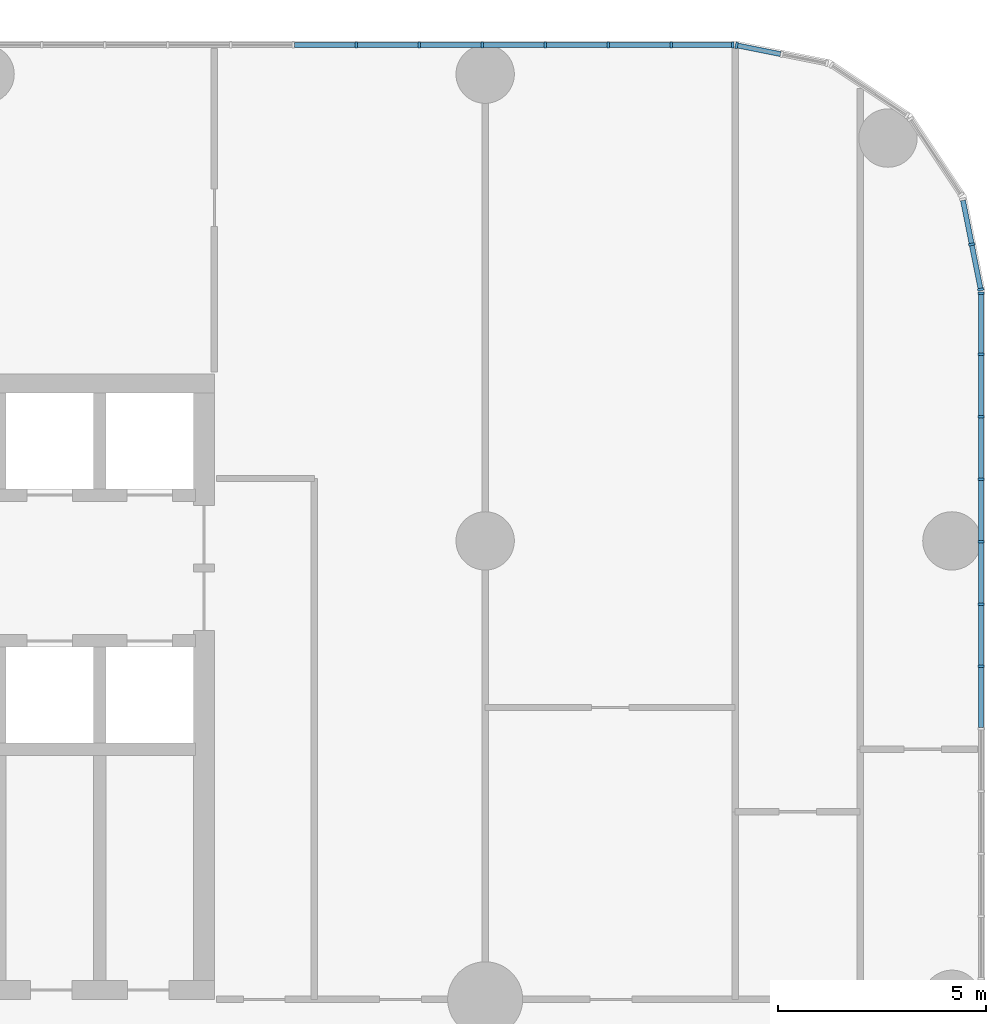
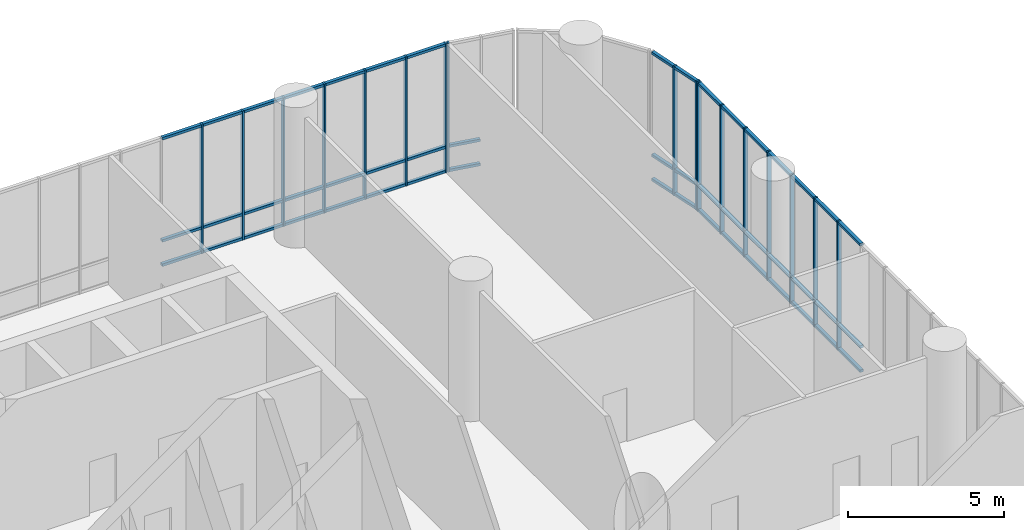
# One storey, part 17 of 30: 67 members, 4 elements without a shape of their own.
"""IFC4 building model written with IfcOpenShell, lengths in metres."""

from ifc_helpers import new_model, si_unit, direction, frame, origin, origin_2d, place, context, subcontext, project, spatial, rectangle, extrude, material, layer, layer_set, material_profile, profile_set, type_object, element, aggregate, save


model = new_model("IFC4")

# Units and contexts
model_context = context("Model", 3, precision=1e-05, world=origin(), true_north=direction((0.0, 1.0)))
body_context = subcontext(model_context, "Body", "Model", "MODEL_VIEW")
ifc_project = project(units=[si_unit("LENGTHUNIT", "METRE"), si_unit("AREAUNIT", "SQUARE_METRE"), si_unit("VOLUMEUNIT", "CUBIC_METRE"), si_unit("PLANEANGLEUNIT", "RADIAN"), si_unit("MASSUNIT", "GRAM", prefix="KILO")], contexts=[model_context])

# Site, building, storey
site_placement = place(None, origin())
site = spatial("IfcSite", under=ifc_project, at=site_placement, CompositionType="ELEMENT")
building_placement = place(site_placement, origin())
building = spatial("IfcBuilding", under=site, at=building_placement, Name="Torana Hotel and Residences", CompositionType="ELEMENT")
storey_placement = place(building_placement, frame((0.0, 0.0, 12.5)))
storey = spatial("IfcBuildingStorey", under=building, at=storey_placement, Name="L02", CompositionType="ELEMENT", Elevation=12.5)

# Curtain wall, members
ifc_material_1 = material(Name="Dark anodised aluminium", Category="aluminium")
ifc_layer = layer(ifc_material_1, 0.14990234375)
ifc_layer_set = layer_set([ifc_layer], Name="CW5 PODIUM UPPER UNITISED CURTAIN WALL")
curtain_wall_type = type_object("IfcCurtainWallType", Name="CW5 PODIUM UPPER UNITISED CURTAIN WALL", PredefinedType="NOTDEFINED", material=ifc_layer_set)
curtain_wall_1_placement = place(storey_placement, origin())
curtain_wall_1 = element("IfcCurtainWall", 1, at=curtain_wall_1_placement, inside=storey, type_object=curtain_wall_type, Name="Curtain wall CW5 L02 e1.5", PredefinedType="NOTDEFINED")
ifc_material_2 = material(Name="Dark anodised aluminium", Category="aluminium")
ifc_material_profile_1 = material_profile(ifc_material_2, rectangle(XDim=0.14990234375, YDim=0.06005859375, at=origin_2d()), Name="CW5 MULLION 60x150")
ifc_profile_set_1 = profile_set([ifc_material_profile_1], Name="Dark anodised aluminium")
member_type_1 = type_object("IfcMemberType", Name="CW5 MULLION 60x150", PredefinedType="MULLION", material=ifc_profile_set_1)
member_1_placement = place(storey_placement, frame((47.89990234375, -7.01220703125, 0.0), z_axis=(0.0, 0.0, 1.0), x_axis=(-1.0, 0.0, 0.0)))
member_1 = element("IfcMember", 2, at=member_1_placement, type_object=member_type_1, Name="CW5 mullion 19", PredefinedType="MULLION", context=body_context, shape_type="SweptSolid", body=[
    extrude(rectangle(XDim=0.14990234375, YDim=0.06005859375, at=origin_2d()), origin(), (0.0, 0.0, 1.0), 5.050048828125),
])
member_2_placement = place(storey_placement, frame((47.89990234375, -5.514404296875, 0.0), z_axis=(0.0, 0.0, 1.0), x_axis=(-1.0, 0.0, 0.0)))
member_2 = element("IfcMember", 3, at=member_2_placement, type_object=member_type_1, Name="CW5 mullion 20", PredefinedType="MULLION", context=body_context, shape_type="SweptSolid", body=[
    extrude(rectangle(XDim=0.14990234375, YDim=0.06005859375, at=origin_2d()), origin(), (0.0, 0.0, 1.0), 5.050048828125),
])
member_3_placement = place(storey_placement, frame((47.89990234375, -4.016357421875, 0.0), z_axis=(0.0, 0.0, 1.0), x_axis=(-1.0, 0.0, 0.0)))
member_3 = element("IfcMember", 4, at=member_3_placement, type_object=member_type_1, Name="CW5 mullion 21", PredefinedType="MULLION", context=body_context, shape_type="SweptSolid", body=[
    extrude(rectangle(XDim=0.14990234375, YDim=0.06005859375, at=origin_2d()), origin(), (0.0, 0.0, 1.0), 5.050048828125),
])
member_4_placement = place(storey_placement, frame((47.89990234375, -2.5185546875, 0.0), z_axis=(0.0, 0.0, 1.0), x_axis=(-1.0, 0.0, 0.0)))
member_4 = element("IfcMember", 5, at=member_4_placement, type_object=member_type_1, Name="CW5 mullion 22", PredefinedType="MULLION", context=body_context, shape_type="SweptSolid", body=[
    extrude(rectangle(XDim=0.14990234375, YDim=0.06005859375, at=origin_2d()), origin(), (0.0, 0.0, 1.0), 5.050048828125),
])
member_5_placement = place(storey_placement, frame((47.89990234375, -1.0205078125, 0.0), z_axis=(0.0, 0.0, 1.0), x_axis=(-1.0, 0.0, 0.0)))
member_5 = element("IfcMember", 6, at=member_5_placement, type_object=member_type_1, Name="CW5 mullion 23", PredefinedType="MULLION", context=body_context, shape_type="SweptSolid", body=[
    extrude(rectangle(XDim=0.14990234375, YDim=0.06005859375, at=origin_2d()), origin(), (0.0, 0.0, 1.0), 5.050048828125),
])
member_6_placement = place(storey_placement, frame((47.89990234375, 0.4775390625, 0.0), z_axis=(0.0, 0.0, 1.0), x_axis=(-1.0, 0.0, 0.0)))
member_6 = element("IfcMember", 7, at=member_6_placement, type_object=member_type_1, Name="CW5 mullion 24", PredefinedType="MULLION", context=body_context, shape_type="SweptSolid", body=[
    extrude(rectangle(XDim=0.14990234375, YDim=0.06005859375, at=origin_2d()), origin(), (0.0, 0.0, 1.0), 5.050048828125),
])
member_7_placement = place(storey_placement, frame((47.89990234375, 1.9453125, 0.0), z_axis=(0.0, 0.0, 1.0), x_axis=(-1.0, 0.0, 0.0)))
member_7 = element("IfcMember", 8, at=member_7_placement, type_object=member_type_1, Name="CW5 mullion 25", PredefinedType="MULLION", context=body_context, shape_type="SweptSolid", body=[
    extrude(rectangle(XDim=0.14990234375, YDim=0.06005859375, at=origin_2d()), origin(), (0.0, 0.0, 1.0), 5.050048828125),
])

curtain_wall_2_placement = place(storey_placement, origin())
curtain_wall_2 = element("IfcCurtainWall", 9, at=curtain_wall_2_placement, inside=storey, type_object=curtain_wall_type, Name="Curtain wall CW5 L02 e1.6", PredefinedType="NOTDEFINED")
member_8_placement = place(storey_placement, frame((47.891357421875, 2.033935546875, 0.0), z_axis=(0.0, 0.0, 1.0), x_axis=(-0.980787135335, -0.195080996415, 0.0)))
member_8 = element("IfcMember", 10, at=member_8_placement, type_object=member_type_1, Name="CW5 mullion 1", PredefinedType="MULLION", context=body_context, shape_type="SweptSolid", body=[
    extrude(rectangle(XDim=0.14990234375, YDim=0.06005859375, at=origin_2d()), origin(), (0.0, 0.0, 1.0), 5.050048828125),
])
member_9_placement = place(storey_placement, frame((47.676025390625, 3.1162109375, 0.0), z_axis=(0.0, 0.0, 1.0), x_axis=(-0.980787135335, -0.195080996415, 0.0)))
member_9 = element("IfcMember", 11, at=member_9_placement, type_object=member_type_1, Name="CW5 mullion 2", PredefinedType="MULLION", context=body_context, shape_type="SweptSolid", body=[
    extrude(rectangle(XDim=0.14990234375, YDim=0.06005859375, at=origin_2d()), origin(), (0.0, 0.0, 1.0), 5.050048828125),
])

# Curtain wall, member
curtain_wall_3_placement = place(storey_placement, origin())
curtain_wall_3 = element("IfcCurtainWall", 12, at=curtain_wall_3_placement, inside=storey, type_object=curtain_wall_type, Name="Curtain wall CW5 L02 e1.9", PredefinedType="NOTDEFINED")
member_10_placement = place(storey_placement, frame((42.033935546875, 7.891357421875, 0.0), z_axis=(0.0, 0.0, 1.0), x_axis=(-0.195080996415, -0.980787135335, 0.0)))
member_10 = element("IfcMember", 13, at=member_10_placement, type_object=member_type_1, Name="CW5 mullion 3", PredefinedType="MULLION", context=body_context, shape_type="SweptSolid", body=[
    extrude(rectangle(XDim=0.14990234375, YDim=0.06005859375, at=origin_2d()), origin(), (0.0, 0.0, 1.0), 5.050048828125),
])

# Curtain wall, members
curtain_wall_4_placement = place(storey_placement, origin())
curtain_wall_4 = element("IfcCurtainWall", 14, at=curtain_wall_4_placement, inside=storey, type_object=curtain_wall_type, Name="Curtain wall CW5 L02 e1.10", PredefinedType="NOTDEFINED")
member_11_placement = place(storey_placement, frame((41.9453125, 7.89990234375, 0.0), z_axis=(0.0, 0.0, 1.0), x_axis=(0.0, -1.0, 0.0)))
member_11 = element("IfcMember", 15, at=member_11_placement, type_object=member_type_1, Name="CW5 mullion 1", PredefinedType="MULLION", context=body_context, shape_type="SweptSolid", body=[
    extrude(rectangle(XDim=0.14990234375, YDim=0.06005859375, at=origin_2d()), origin(), (0.0, 0.0, 1.0), 5.050048828125),
])
member_12_placement = place(storey_placement, frame((40.464599609375, 7.89990234375, 0.0), z_axis=(0.0, 0.0, 1.0), x_axis=(0.0, -1.0, 0.0)))
member_12 = element("IfcMember", 16, at=member_12_placement, type_object=member_type_1, Name="CW5 mullion 2", PredefinedType="MULLION", context=body_context, shape_type="SweptSolid", body=[
    extrude(rectangle(XDim=0.14990234375, YDim=0.06005859375, at=origin_2d()), origin(), (0.0, 0.0, 1.0), 5.050048828125),
])
member_13_placement = place(storey_placement, frame((38.953857421875, 7.89990234375, 0.0), z_axis=(0.0, 0.0, 1.0), x_axis=(0.0, -1.0, 0.0)))
member_13 = element("IfcMember", 17, at=member_13_placement, type_object=member_type_1, Name="CW5 mullion 3", PredefinedType="MULLION", context=body_context, shape_type="SweptSolid", body=[
    extrude(rectangle(XDim=0.14990234375, YDim=0.06005859375, at=origin_2d()), origin(), (0.0, 0.0, 1.0), 5.050048828125),
])
member_14_placement = place(storey_placement, frame((37.443115234375, 7.89990234375, 0.0), z_axis=(0.0, 0.0, 1.0), x_axis=(0.0, -1.0, 0.0)))
member_14 = element("IfcMember", 18, at=member_14_placement, type_object=member_type_1, Name="CW5 mullion 4", PredefinedType="MULLION", context=body_context, shape_type="SweptSolid", body=[
    extrude(rectangle(XDim=0.14990234375, YDim=0.06005859375, at=origin_2d()), origin(), (0.0, 0.0, 1.0), 5.050048828125),
])
member_15_placement = place(storey_placement, frame((35.932373046875, 7.89990234375, 0.0), z_axis=(0.0, 0.0, 1.0), x_axis=(0.0, -1.0, 0.0)))
member_15 = element("IfcMember", 19, at=member_15_placement, type_object=member_type_1, Name="CW5 mullion 5", PredefinedType="MULLION", context=body_context, shape_type="SweptSolid", body=[
    extrude(rectangle(XDim=0.14990234375, YDim=0.06005859375, at=origin_2d()), origin(), (0.0, 0.0, 1.0), 5.050048828125),
])
member_16_placement = place(storey_placement, frame((34.421630859375, 7.89990234375, 0.0), z_axis=(0.0, 0.0, 1.0), x_axis=(0.0, -1.0, 0.0)))
member_16 = element("IfcMember", 20, at=member_16_placement, type_object=member_type_1, Name="CW5 mullion 6", PredefinedType="MULLION", context=body_context, shape_type="SweptSolid", body=[
    extrude(rectangle(XDim=0.14990234375, YDim=0.06005859375, at=origin_2d()), origin(), (0.0, 0.0, 1.0), 5.050048828125),
])
member_17_placement = place(storey_placement, frame((32.910888671875, 7.89990234375, 0.0), z_axis=(0.0, 0.0, 1.0), x_axis=(0.0, -1.0, 0.0)))
member_17 = element("IfcMember", 21, at=member_17_placement, type_object=member_type_1, Name="CW5 mullion 7", PredefinedType="MULLION", context=body_context, shape_type="SweptSolid", body=[
    extrude(rectangle(XDim=0.14990234375, YDim=0.06005859375, at=origin_2d()), origin(), (0.0, 0.0, 1.0), 5.050048828125),
])

# Member
ifc_material_3 = material(Name="Dark anodised aluminium", Category="aluminium")
ifc_material_profile_2 = material_profile(ifc_material_3, rectangle(XDim=0.1201171875, YDim=0.10009765625, at=origin_2d()), Name="CW5 TRANSOM 120x100")
ifc_profile_set_2 = profile_set([ifc_material_profile_2], Name="Dark anodised aluminium")
member_type_2 = type_object("IfcMemberType", Name="CW5 TRANSOM 120x100", PredefinedType="USERDEFINED", material=ifc_profile_set_2)
member_18_placement = place(storey_placement, frame((47.89990234375, -8.480224609375, 0.050048828125), z_axis=(0.0, 1.0, 0.0), x_axis=(-1.0, 0.0, 0.0)))
member_18 = element("IfcMember", 22, at=member_18_placement, type_object=member_type_2, Name="CW5 transom 18.1", ObjectType="TRANSOM", PredefinedType="USERDEFINED", context=body_context, shape_type="SweptSolid", body=[
    extrude(rectangle(XDim=0.1201171875, YDim=0.10009765625, at=origin_2d()), origin(), (0.0, 0.0, 1.0), 1.43798828125),
])

member_19_placement = place(storey_placement, frame((47.89990234375, -8.480224609375, 1.0), z_axis=(0.0, 1.0, 0.0), x_axis=(-1.0, 0.0, 0.0)))
member_19 = element("IfcMember", 23, at=member_19_placement, type_object=member_type_2, Name="CW5 transom 18.2", ObjectType="TRANSOM", PredefinedType="USERDEFINED", context=body_context, shape_type="SweptSolid", body=[
    extrude(rectangle(XDim=0.1201171875, YDim=0.10009765625, at=origin_2d()), origin(), (0.0, 0.0, 1.0), 1.43798828125),
])

member_20_placement = place(storey_placement, frame((47.89990234375, -8.480224609375, 5.0), z_axis=(0.0, 1.0, 0.0), x_axis=(-1.0, 0.0, 0.0)))
member_20 = element("IfcMember", 24, at=member_20_placement, type_object=member_type_2, Name="CW5 transom 18.3", ObjectType="TRANSOM", PredefinedType="USERDEFINED", context=body_context, shape_type="SweptSolid", body=[
    extrude(rectangle(XDim=0.1201171875, YDim=0.10009765625, at=origin_2d()), origin(), (0.0, 0.0, 1.0), 1.43798828125),
])

member_21_placement = place(storey_placement, frame((47.89990234375, -6.982421875, 0.050048828125), z_axis=(0.0, 1.0, 0.0), x_axis=(-1.0, 0.0, 0.0)))
member_21 = element("IfcMember", 25, at=member_21_placement, type_object=member_type_2, Name="CW5 transom 19.1", ObjectType="TRANSOM", PredefinedType="USERDEFINED", context=body_context, shape_type="SweptSolid", body=[
    extrude(rectangle(XDim=0.1201171875, YDim=0.10009765625, at=origin_2d()), origin(), (0.0, 0.0, 1.0), 1.43798828125),
])

member_22_placement = place(storey_placement, frame((47.89990234375, -6.982421875, 1.0), z_axis=(0.0, 1.0, 0.0), x_axis=(-1.0, 0.0, 0.0)))
member_22 = element("IfcMember", 26, at=member_22_placement, type_object=member_type_2, Name="CW5 transom 19.2", ObjectType="TRANSOM", PredefinedType="USERDEFINED", context=body_context, shape_type="SweptSolid", body=[
    extrude(rectangle(XDim=0.1201171875, YDim=0.10009765625, at=origin_2d()), origin(), (0.0, 0.0, 1.0), 1.43798828125),
])

member_23_placement = place(storey_placement, frame((47.89990234375, -6.982421875, 5.0), z_axis=(0.0, 1.0, 0.0), x_axis=(-1.0, 0.0, 0.0)))
member_23 = element("IfcMember", 27, at=member_23_placement, type_object=member_type_2, Name="CW5 transom 19.3", ObjectType="TRANSOM", PredefinedType="USERDEFINED", context=body_context, shape_type="SweptSolid", body=[
    extrude(rectangle(XDim=0.1201171875, YDim=0.10009765625, at=origin_2d()), origin(), (0.0, 0.0, 1.0), 1.43798828125),
])

member_24_placement = place(storey_placement, frame((47.89990234375, -5.484375, 0.050048828125), z_axis=(0.0, 1.0, 0.0), x_axis=(-1.0, 0.0, 0.0)))
member_24 = element("IfcMember", 28, at=member_24_placement, type_object=member_type_2, Name="CW5 transom 20.1", ObjectType="TRANSOM", PredefinedType="USERDEFINED", context=body_context, shape_type="SweptSolid", body=[
    extrude(rectangle(XDim=0.1201171875, YDim=0.10009765625, at=origin_2d()), origin(), (0.0, 0.0, 1.0), 1.43798828125),
])

member_25_placement = place(storey_placement, frame((47.89990234375, -5.484375, 1.0), z_axis=(0.0, 1.0, 0.0), x_axis=(-1.0, 0.0, 0.0)))
member_25 = element("IfcMember", 29, at=member_25_placement, type_object=member_type_2, Name="CW5 transom 20.2", ObjectType="TRANSOM", PredefinedType="USERDEFINED", context=body_context, shape_type="SweptSolid", body=[
    extrude(rectangle(XDim=0.1201171875, YDim=0.10009765625, at=origin_2d()), origin(), (0.0, 0.0, 1.0), 1.43798828125),
])

member_26_placement = place(storey_placement, frame((47.89990234375, -5.484375, 5.0), z_axis=(0.0, 1.0, 0.0), x_axis=(-1.0, 0.0, 0.0)))
member_26 = element("IfcMember", 30, at=member_26_placement, type_object=member_type_2, Name="CW5 transom 20.3", ObjectType="TRANSOM", PredefinedType="USERDEFINED", context=body_context, shape_type="SweptSolid", body=[
    extrude(rectangle(XDim=0.1201171875, YDim=0.10009765625, at=origin_2d()), origin(), (0.0, 0.0, 1.0), 1.43798828125),
])

member_27_placement = place(storey_placement, frame((47.89990234375, -3.986328125, 0.050048828125), z_axis=(0.0, 1.0, 0.0), x_axis=(-1.0, 0.0, 0.0)))
member_27 = element("IfcMember", 31, at=member_27_placement, type_object=member_type_2, Name="CW5 transom 21.1", ObjectType="TRANSOM", PredefinedType="USERDEFINED", context=body_context, shape_type="SweptSolid", body=[
    extrude(rectangle(XDim=0.1201171875, YDim=0.10009765625, at=origin_2d()), origin(), (0.0, 0.0, 1.0), 1.43798828125),
])

member_28_placement = place(storey_placement, frame((47.89990234375, -3.986328125, 1.0), z_axis=(0.0, 1.0, 0.0), x_axis=(-1.0, 0.0, 0.0)))
member_28 = element("IfcMember", 32, at=member_28_placement, type_object=member_type_2, Name="CW5 transom 21.2", ObjectType="TRANSOM", PredefinedType="USERDEFINED", context=body_context, shape_type="SweptSolid", body=[
    extrude(rectangle(XDim=0.1201171875, YDim=0.10009765625, at=origin_2d()), origin(), (0.0, 0.0, 1.0), 1.43798828125),
])

member_29_placement = place(storey_placement, frame((47.89990234375, -3.986328125, 5.0), z_axis=(0.0, 1.0, 0.0), x_axis=(-1.0, 0.0, 0.0)))
member_29 = element("IfcMember", 33, at=member_29_placement, type_object=member_type_2, Name="CW5 transom 21.3", ObjectType="TRANSOM", PredefinedType="USERDEFINED", context=body_context, shape_type="SweptSolid", body=[
    extrude(rectangle(XDim=0.1201171875, YDim=0.10009765625, at=origin_2d()), origin(), (0.0, 0.0, 1.0), 1.43798828125),
])

member_30_placement = place(storey_placement, frame((47.89990234375, -2.488525390625, 0.050048828125), z_axis=(0.0, 1.0, 0.0), x_axis=(-1.0, 0.0, 0.0)))
member_30 = element("IfcMember", 34, at=member_30_placement, type_object=member_type_2, Name="CW5 transom 22.1", ObjectType="TRANSOM", PredefinedType="USERDEFINED", context=body_context, shape_type="SweptSolid", body=[
    extrude(rectangle(XDim=0.1201171875, YDim=0.10009765625, at=origin_2d()), origin(), (0.0, 0.0, 1.0), 1.43798828125),
])

member_31_placement = place(storey_placement, frame((47.89990234375, -2.488525390625, 1.0), z_axis=(0.0, 1.0, 0.0), x_axis=(-1.0, 0.0, 0.0)))
member_31 = element("IfcMember", 35, at=member_31_placement, type_object=member_type_2, Name="CW5 transom 22.2", ObjectType="TRANSOM", PredefinedType="USERDEFINED", context=body_context, shape_type="SweptSolid", body=[
    extrude(rectangle(XDim=0.1201171875, YDim=0.10009765625, at=origin_2d()), origin(), (0.0, 0.0, 1.0), 1.43798828125),
])

member_32_placement = place(storey_placement, frame((47.89990234375, -2.488525390625, 5.0), z_axis=(0.0, 1.0, 0.0), x_axis=(-1.0, 0.0, 0.0)))
member_32 = element("IfcMember", 36, at=member_32_placement, type_object=member_type_2, Name="CW5 transom 22.3", ObjectType="TRANSOM", PredefinedType="USERDEFINED", context=body_context, shape_type="SweptSolid", body=[
    extrude(rectangle(XDim=0.1201171875, YDim=0.10009765625, at=origin_2d()), origin(), (0.0, 0.0, 1.0), 1.43798828125),
])

member_33_placement = place(storey_placement, frame((47.89990234375, -0.990478515625, 0.050048828125), z_axis=(0.0, 1.0, 0.0), x_axis=(-1.0, 0.0, 0.0)))
member_33 = element("IfcMember", 37, at=member_33_placement, type_object=member_type_2, Name="CW5 transom 23.1", ObjectType="TRANSOM", PredefinedType="USERDEFINED", context=body_context, shape_type="SweptSolid", body=[
    extrude(rectangle(XDim=0.1201171875, YDim=0.10009765625, at=origin_2d()), origin(), (0.0, 0.0, 1.0), 1.43798828125),
])

member_34_placement = place(storey_placement, frame((47.89990234375, -0.990478515625, 1.0), z_axis=(0.0, 1.0, 0.0), x_axis=(-1.0, 0.0, 0.0)))
member_34 = element("IfcMember", 38, at=member_34_placement, type_object=member_type_2, Name="CW5 transom 23.2", ObjectType="TRANSOM", PredefinedType="USERDEFINED", context=body_context, shape_type="SweptSolid", body=[
    extrude(rectangle(XDim=0.1201171875, YDim=0.10009765625, at=origin_2d()), origin(), (0.0, 0.0, 1.0), 1.43798828125),
])

member_35_placement = place(storey_placement, frame((47.89990234375, -0.990478515625, 5.0), z_axis=(0.0, 1.0, 0.0), x_axis=(-1.0, 0.0, 0.0)))
member_35 = element("IfcMember", 39, at=member_35_placement, type_object=member_type_2, Name="CW5 transom 23.3", ObjectType="TRANSOM", PredefinedType="USERDEFINED", context=body_context, shape_type="SweptSolid", body=[
    extrude(rectangle(XDim=0.1201171875, YDim=0.10009765625, at=origin_2d()), origin(), (0.0, 0.0, 1.0), 1.43798828125),
])

member_36_placement = place(storey_placement, frame((47.89990234375, 0.507568359375, 0.050048828125), z_axis=(0.0, 1.0, 0.0), x_axis=(-1.0, 0.0, 0.0)))
member_36 = element("IfcMember", 40, at=member_36_placement, type_object=member_type_2, Name="CW5 transom 24.1", ObjectType="TRANSOM", PredefinedType="USERDEFINED", context=body_context, shape_type="SweptSolid", body=[
    extrude(rectangle(XDim=0.1201171875, YDim=0.10009765625, at=origin_2d()), origin(), (0.0, 0.0, 1.0), 1.40771484375),
])

member_37_placement = place(storey_placement, frame((47.89990234375, 0.507568359375, 1.0), z_axis=(0.0, 1.0, 0.0), x_axis=(-1.0, 0.0, 0.0)))
member_37 = element("IfcMember", 41, at=member_37_placement, type_object=member_type_2, Name="CW5 transom 24.2", ObjectType="TRANSOM", PredefinedType="USERDEFINED", context=body_context, shape_type="SweptSolid", body=[
    extrude(rectangle(XDim=0.1201171875, YDim=0.10009765625, at=origin_2d()), origin(), (0.0, 0.0, 1.0), 1.40771484375),
])

member_38_placement = place(storey_placement, frame((47.89990234375, 0.507568359375, 5.0), z_axis=(0.0, 1.0, 0.0), x_axis=(-1.0, 0.0, 0.0)))
member_38 = element("IfcMember", 42, at=member_38_placement, type_object=member_type_2, Name="CW5 transom 24.3", ObjectType="TRANSOM", PredefinedType="USERDEFINED", context=body_context, shape_type="SweptSolid", body=[
    extrude(rectangle(XDim=0.1201171875, YDim=0.10009765625, at=origin_2d()), origin(), (0.0, 0.0, 1.0), 1.40771484375),
])

aggregate(curtain_wall_1, [member_1, member_2, member_3, member_4, member_5, member_6, member_7, member_18, member_19, member_20, member_21, member_22, member_23, member_24, member_25, member_26, member_27, member_28, member_29, member_30, member_31, member_32, member_33, member_34, member_35, member_36, member_37, member_38])

member_39_placement = place(storey_placement, frame((47.885498046875, 2.0634765625, 0.050048828125), z_axis=(-0.195170971557, 0.980769234765, 0.0), x_axis=(-0.980769234765, -0.195170971557, 0.0)))
member_39 = element("IfcMember", 43, at=member_39_placement, type_object=member_type_2, Name="CW5 transom 1.1", ObjectType="TRANSOM", PredefinedType="USERDEFINED", context=body_context, shape_type="SweptSolid", body=[
    extrude(rectangle(XDim=0.1201171875, YDim=0.10009765625, at=origin_2d()), origin(), (0.0, 0.0, 1.0), 1.043212890625),
])

member_40_placement = place(storey_placement, frame((47.885498046875, 2.0634765625, 1.0), z_axis=(-0.195170971557, 0.980769234765, 0.0), x_axis=(-0.980769234765, -0.195170971557, 0.0)))
member_40 = element("IfcMember", 44, at=member_40_placement, type_object=member_type_2, Name="CW5 transom 1.2", ObjectType="TRANSOM", PredefinedType="USERDEFINED", context=body_context, shape_type="SweptSolid", body=[
    extrude(rectangle(XDim=0.1201171875, YDim=0.10009765625, at=origin_2d()), origin(), (0.0, 0.0, 1.0), 1.043212890625),
])

member_41_placement = place(storey_placement, frame((47.885498046875, 2.0634765625, 5.0), z_axis=(-0.195170971557, 0.980769234765, 0.0), x_axis=(-0.980769234765, -0.195170971557, 0.0)))
member_41 = element("IfcMember", 45, at=member_41_placement, type_object=member_type_2, Name="CW5 transom 1.3", ObjectType="TRANSOM", PredefinedType="USERDEFINED", context=body_context, shape_type="SweptSolid", body=[
    extrude(rectangle(XDim=0.1201171875, YDim=0.10009765625, at=origin_2d()), origin(), (0.0, 0.0, 1.0), 1.043212890625),
])

member_42_placement = place(storey_placement, frame((47.670166015625, 3.1455078125, 0.050048828125), z_axis=(-0.195126186458, 0.980778145841, 0.0), x_axis=(-0.980778145841, -0.195126186458, 0.0)))
member_42 = element("IfcMember", 46, at=member_42_placement, type_object=member_type_2, Name="CW5 transom 2.1", ObjectType="TRANSOM", PredefinedType="USERDEFINED", context=body_context, shape_type="SweptSolid", body=[
    extrude(rectangle(XDim=0.1201171875, YDim=0.10009765625, at=origin_2d()), origin(), (0.0, 0.0, 1.0), 1.04345703125),
])

member_43_placement = place(storey_placement, frame((47.670166015625, 3.1455078125, 1.0), z_axis=(-0.195126186458, 0.980778145841, 0.0), x_axis=(-0.980778145841, -0.195126186458, 0.0)))
member_43 = element("IfcMember", 47, at=member_43_placement, type_object=member_type_2, Name="CW5 transom 2.2", ObjectType="TRANSOM", PredefinedType="USERDEFINED", context=body_context, shape_type="SweptSolid", body=[
    extrude(rectangle(XDim=0.1201171875, YDim=0.10009765625, at=origin_2d()), origin(), (0.0, 0.0, 1.0), 1.04345703125),
])

member_44_placement = place(storey_placement, frame((47.670166015625, 3.1455078125, 5.0), z_axis=(-0.195126186458, 0.980778145841, 0.0), x_axis=(-0.980778145841, -0.195126186458, 0.0)))
member_44 = element("IfcMember", 48, at=member_44_placement, type_object=member_type_2, Name="CW5 transom 2.3", ObjectType="TRANSOM", PredefinedType="USERDEFINED", context=body_context, shape_type="SweptSolid", body=[
    extrude(rectangle(XDim=0.1201171875, YDim=0.10009765625, at=origin_2d()), origin(), (0.0, 0.0, 1.0), 1.04345703125),
])

aggregate(curtain_wall_2, [member_8, member_9, member_39, member_40, member_41, member_42, member_43, member_44])

member_45_placement = place(storey_placement, frame((43.086669921875, 7.681884765625, 0.050048828125), z_axis=(-0.980769234765, 0.195170971557, 0.0), x_axis=(-0.195170971557, -0.980769234765, 0.0)))
member_45 = element("IfcMember", 49, at=member_45_placement, type_object=member_type_2, Name="CW5 transom 2.1", ObjectType="TRANSOM", PredefinedType="USERDEFINED", context=body_context, shape_type="SweptSolid", body=[
    extrude(rectangle(XDim=0.1201171875, YDim=0.10009765625, at=origin_2d()), origin(), (0.0, 0.0, 1.0), 1.043212890625),
])

member_46_placement = place(storey_placement, frame((43.086669921875, 7.681884765625, 1.0), z_axis=(-0.980769234765, 0.195170971557, 0.0), x_axis=(-0.195170971557, -0.980769234765, 0.0)))
member_46 = element("IfcMember", 50, at=member_46_placement, type_object=member_type_2, Name="CW5 transom 2.2", ObjectType="TRANSOM", PredefinedType="USERDEFINED", context=body_context, shape_type="SweptSolid", body=[
    extrude(rectangle(XDim=0.1201171875, YDim=0.10009765625, at=origin_2d()), origin(), (0.0, 0.0, 1.0), 1.043212890625),
])

aggregate(curtain_wall_3, [member_10, member_45, member_46])

member_47_placement = place(storey_placement, frame((41.915283203125, 7.89990234375, 0.050048828125), z_axis=(-1.0, 0.0, 0.0), x_axis=(0.0, -1.0, 0.0)))
member_47 = element("IfcMember", 51, at=member_47_placement, type_object=member_type_2, Name="CW5 transom 1.1", ObjectType="TRANSOM", PredefinedType="USERDEFINED", context=body_context, shape_type="SweptSolid", body=[
    extrude(rectangle(XDim=0.1201171875, YDim=0.10009765625, at=origin_2d()), origin(), (0.0, 0.0, 1.0), 1.420654296875),
])

member_48_placement = place(storey_placement, frame((41.915283203125, 7.89990234375, 1.0), z_axis=(-1.0, 0.0, 0.0), x_axis=(0.0, -1.0, 0.0)))
member_48 = element("IfcMember", 52, at=member_48_placement, type_object=member_type_2, Name="CW5 transom 1.2", ObjectType="TRANSOM", PredefinedType="USERDEFINED", context=body_context, shape_type="SweptSolid", body=[
    extrude(rectangle(XDim=0.1201171875, YDim=0.10009765625, at=origin_2d()), origin(), (0.0, 0.0, 1.0), 1.420654296875),
])

member_49_placement = place(storey_placement, frame((41.915283203125, 7.89990234375, 5.0), z_axis=(-1.0, 0.0, 0.0), x_axis=(0.0, -1.0, 0.0)))
member_49 = element("IfcMember", 53, at=member_49_placement, type_object=member_type_2, Name="CW5 transom 1.3", ObjectType="TRANSOM", PredefinedType="USERDEFINED", context=body_context, shape_type="SweptSolid", body=[
    extrude(rectangle(XDim=0.1201171875, YDim=0.10009765625, at=origin_2d()), origin(), (0.0, 0.0, 1.0), 1.420654296875),
])

member_50_placement = place(storey_placement, frame((40.4345703125, 7.89990234375, 0.050048828125), z_axis=(-1.0, 0.0, 0.0), x_axis=(0.0, -1.0, 0.0)))
member_50 = element("IfcMember", 54, at=member_50_placement, type_object=member_type_2, Name="CW5 transom 2.1", ObjectType="TRANSOM", PredefinedType="USERDEFINED", context=body_context, shape_type="SweptSolid", body=[
    extrude(rectangle(XDim=0.1201171875, YDim=0.10009765625, at=origin_2d()), origin(), (0.0, 0.0, 1.0), 1.45068359375),
])

member_51_placement = place(storey_placement, frame((40.4345703125, 7.89990234375, 1.0), z_axis=(-1.0, 0.0, 0.0), x_axis=(0.0, -1.0, 0.0)))
member_51 = element("IfcMember", 55, at=member_51_placement, type_object=member_type_2, Name="CW5 transom 2.2", ObjectType="TRANSOM", PredefinedType="USERDEFINED", context=body_context, shape_type="SweptSolid", body=[
    extrude(rectangle(XDim=0.1201171875, YDim=0.10009765625, at=origin_2d()), origin(), (0.0, 0.0, 1.0), 1.45068359375),
])

member_52_placement = place(storey_placement, frame((40.4345703125, 7.89990234375, 5.0), z_axis=(-1.0, 0.0, 0.0), x_axis=(0.0, -1.0, 0.0)))
member_52 = element("IfcMember", 56, at=member_52_placement, type_object=member_type_2, Name="CW5 transom 2.3", ObjectType="TRANSOM", PredefinedType="USERDEFINED", context=body_context, shape_type="SweptSolid", body=[
    extrude(rectangle(XDim=0.1201171875, YDim=0.10009765625, at=origin_2d()), origin(), (0.0, 0.0, 1.0), 1.45068359375),
])

member_53_placement = place(storey_placement, frame((38.923828125, 7.89990234375, 0.050048828125), z_axis=(-1.0, 0.0, 0.0), x_axis=(0.0, -1.0, 0.0)))
member_53 = element("IfcMember", 57, at=member_53_placement, type_object=member_type_2, Name="CW5 transom 3.1", ObjectType="TRANSOM", PredefinedType="USERDEFINED", context=body_context, shape_type="SweptSolid", body=[
    extrude(rectangle(XDim=0.1201171875, YDim=0.10009765625, at=origin_2d()), origin(), (0.0, 0.0, 1.0), 1.45068359375),
])

member_54_placement = place(storey_placement, frame((38.923828125, 7.89990234375, 1.0), z_axis=(-1.0, 0.0, 0.0), x_axis=(0.0, -1.0, 0.0)))
member_54 = element("IfcMember", 58, at=member_54_placement, type_object=member_type_2, Name="CW5 transom 3.2", ObjectType="TRANSOM", PredefinedType="USERDEFINED", context=body_context, shape_type="SweptSolid", body=[
    extrude(rectangle(XDim=0.1201171875, YDim=0.10009765625, at=origin_2d()), origin(), (0.0, 0.0, 1.0), 1.45068359375),
])

member_55_placement = place(storey_placement, frame((38.923828125, 7.89990234375, 5.0), z_axis=(-1.0, 0.0, 0.0), x_axis=(0.0, -1.0, 0.0)))
member_55 = element("IfcMember", 59, at=member_55_placement, type_object=member_type_2, Name="CW5 transom 3.3", ObjectType="TRANSOM", PredefinedType="USERDEFINED", context=body_context, shape_type="SweptSolid", body=[
    extrude(rectangle(XDim=0.1201171875, YDim=0.10009765625, at=origin_2d()), origin(), (0.0, 0.0, 1.0), 1.45068359375),
])

member_56_placement = place(storey_placement, frame((37.4130859375, 7.89990234375, 0.050048828125), z_axis=(-1.0, 0.0, 0.0), x_axis=(0.0, -1.0, 0.0)))
member_56 = element("IfcMember", 60, at=member_56_placement, type_object=member_type_2, Name="CW5 transom 4.1", ObjectType="TRANSOM", PredefinedType="USERDEFINED", context=body_context, shape_type="SweptSolid", body=[
    extrude(rectangle(XDim=0.1201171875, YDim=0.10009765625, at=origin_2d()), origin(), (0.0, 0.0, 1.0), 1.45068359375),
])

member_57_placement = place(storey_placement, frame((37.4130859375, 7.89990234375, 1.0), z_axis=(-1.0, 0.0, 0.0), x_axis=(0.0, -1.0, 0.0)))
member_57 = element("IfcMember", 61, at=member_57_placement, type_object=member_type_2, Name="CW5 transom 4.2", ObjectType="TRANSOM", PredefinedType="USERDEFINED", context=body_context, shape_type="SweptSolid", body=[
    extrude(rectangle(XDim=0.1201171875, YDim=0.10009765625, at=origin_2d()), origin(), (0.0, 0.0, 1.0), 1.45068359375),
])

member_58_placement = place(storey_placement, frame((37.4130859375, 7.89990234375, 5.0), z_axis=(-1.0, 0.0, 0.0), x_axis=(0.0, -1.0, 0.0)))
member_58 = element("IfcMember", 62, at=member_58_placement, type_object=member_type_2, Name="CW5 transom 4.3", ObjectType="TRANSOM", PredefinedType="USERDEFINED", context=body_context, shape_type="SweptSolid", body=[
    extrude(rectangle(XDim=0.1201171875, YDim=0.10009765625, at=origin_2d()), origin(), (0.0, 0.0, 1.0), 1.45068359375),
])

member_59_placement = place(storey_placement, frame((35.902587890625, 7.89990234375, 0.050048828125), z_axis=(-1.0, 0.0, 0.0), x_axis=(0.0, -1.0, 0.0)))
member_59 = element("IfcMember", 63, at=member_59_placement, type_object=member_type_2, Name="CW5 transom 5.1", ObjectType="TRANSOM", PredefinedType="USERDEFINED", context=body_context, shape_type="SweptSolid", body=[
    extrude(rectangle(XDim=0.1201171875, YDim=0.10009765625, at=origin_2d()), origin(), (0.0, 0.0, 1.0), 1.450927734375),
])

member_60_placement = place(storey_placement, frame((35.902587890625, 7.89990234375, 1.0), z_axis=(-1.0, 0.0, 0.0), x_axis=(0.0, -1.0, 0.0)))
member_60 = element("IfcMember", 64, at=member_60_placement, type_object=member_type_2, Name="CW5 transom 5.2", ObjectType="TRANSOM", PredefinedType="USERDEFINED", context=body_context, shape_type="SweptSolid", body=[
    extrude(rectangle(XDim=0.1201171875, YDim=0.10009765625, at=origin_2d()), origin(), (0.0, 0.0, 1.0), 1.450927734375),
])

member_61_placement = place(storey_placement, frame((35.902587890625, 7.89990234375, 5.0), z_axis=(-1.0, 0.0, 0.0), x_axis=(0.0, -1.0, 0.0)))
member_61 = element("IfcMember", 65, at=member_61_placement, type_object=member_type_2, Name="CW5 transom 5.3", ObjectType="TRANSOM", PredefinedType="USERDEFINED", context=body_context, shape_type="SweptSolid", body=[
    extrude(rectangle(XDim=0.1201171875, YDim=0.10009765625, at=origin_2d()), origin(), (0.0, 0.0, 1.0), 1.450927734375),
])

member_62_placement = place(storey_placement, frame((34.391845703125, 7.89990234375, 0.050048828125), z_axis=(-1.0, 0.0, 0.0), x_axis=(0.0, -1.0, 0.0)))
member_62 = element("IfcMember", 66, at=member_62_placement, type_object=member_type_2, Name="CW5 transom 6.1", ObjectType="TRANSOM", PredefinedType="USERDEFINED", context=body_context, shape_type="SweptSolid", body=[
    extrude(rectangle(XDim=0.1201171875, YDim=0.10009765625, at=origin_2d()), origin(), (0.0, 0.0, 1.0), 1.450927734375),
])

member_63_placement = place(storey_placement, frame((34.391845703125, 7.89990234375, 1.0), z_axis=(-1.0, 0.0, 0.0), x_axis=(0.0, -1.0, 0.0)))
member_63 = element("IfcMember", 67, at=member_63_placement, type_object=member_type_2, Name="CW5 transom 6.2", ObjectType="TRANSOM", PredefinedType="USERDEFINED", context=body_context, shape_type="SweptSolid", body=[
    extrude(rectangle(XDim=0.1201171875, YDim=0.10009765625, at=origin_2d()), origin(), (0.0, 0.0, 1.0), 1.450927734375),
])

member_64_placement = place(storey_placement, frame((34.391845703125, 7.89990234375, 5.0), z_axis=(-1.0, 0.0, 0.0), x_axis=(0.0, -1.0, 0.0)))
member_64 = element("IfcMember", 68, at=member_64_placement, type_object=member_type_2, Name="CW5 transom 6.3", ObjectType="TRANSOM", PredefinedType="USERDEFINED", context=body_context, shape_type="SweptSolid", body=[
    extrude(rectangle(XDim=0.1201171875, YDim=0.10009765625, at=origin_2d()), origin(), (0.0, 0.0, 1.0), 1.450927734375),
])

member_65_placement = place(storey_placement, frame((32.881103515625, 7.89990234375, 0.050048828125), z_axis=(-1.0, 0.0, 0.0), x_axis=(0.0, -1.0, 0.0)))
member_65 = element("IfcMember", 69, at=member_65_placement, type_object=member_type_2, Name="CW5 transom 7.1", ObjectType="TRANSOM", PredefinedType="USERDEFINED", context=body_context, shape_type="SweptSolid", body=[
    extrude(rectangle(XDim=0.1201171875, YDim=0.10009765625, at=origin_2d()), origin(), (0.0, 0.0, 1.0), 1.450927734375),
])

member_66_placement = place(storey_placement, frame((32.881103515625, 7.89990234375, 1.0), z_axis=(-1.0, 0.0, 0.0), x_axis=(0.0, -1.0, 0.0)))
member_66 = element("IfcMember", 70, at=member_66_placement, type_object=member_type_2, Name="CW5 transom 7.2", ObjectType="TRANSOM", PredefinedType="USERDEFINED", context=body_context, shape_type="SweptSolid", body=[
    extrude(rectangle(XDim=0.1201171875, YDim=0.10009765625, at=origin_2d()), origin(), (0.0, 0.0, 1.0), 1.450927734375),
])

member_67_placement = place(storey_placement, frame((32.881103515625, 7.89990234375, 5.0), z_axis=(-1.0, 0.0, 0.0), x_axis=(0.0, -1.0, 0.0)))
member_67 = element("IfcMember", 71, at=member_67_placement, type_object=member_type_2, Name="CW5 transom 7.3", ObjectType="TRANSOM", PredefinedType="USERDEFINED", context=body_context, shape_type="SweptSolid", body=[
    extrude(rectangle(XDim=0.1201171875, YDim=0.10009765625, at=origin_2d()), origin(), (0.0, 0.0, 1.0), 1.450927734375),
])

aggregate(curtain_wall_4, [member_11, member_12, member_13, member_14, member_15, member_16, member_17, member_47, member_48, member_49, member_50, member_51, member_52, member_53, member_54, member_55, member_56, member_57, member_58, member_59, member_60, member_61, member_62, member_63, member_64, member_65, member_66, member_67])

save(model, "model.ifc")
